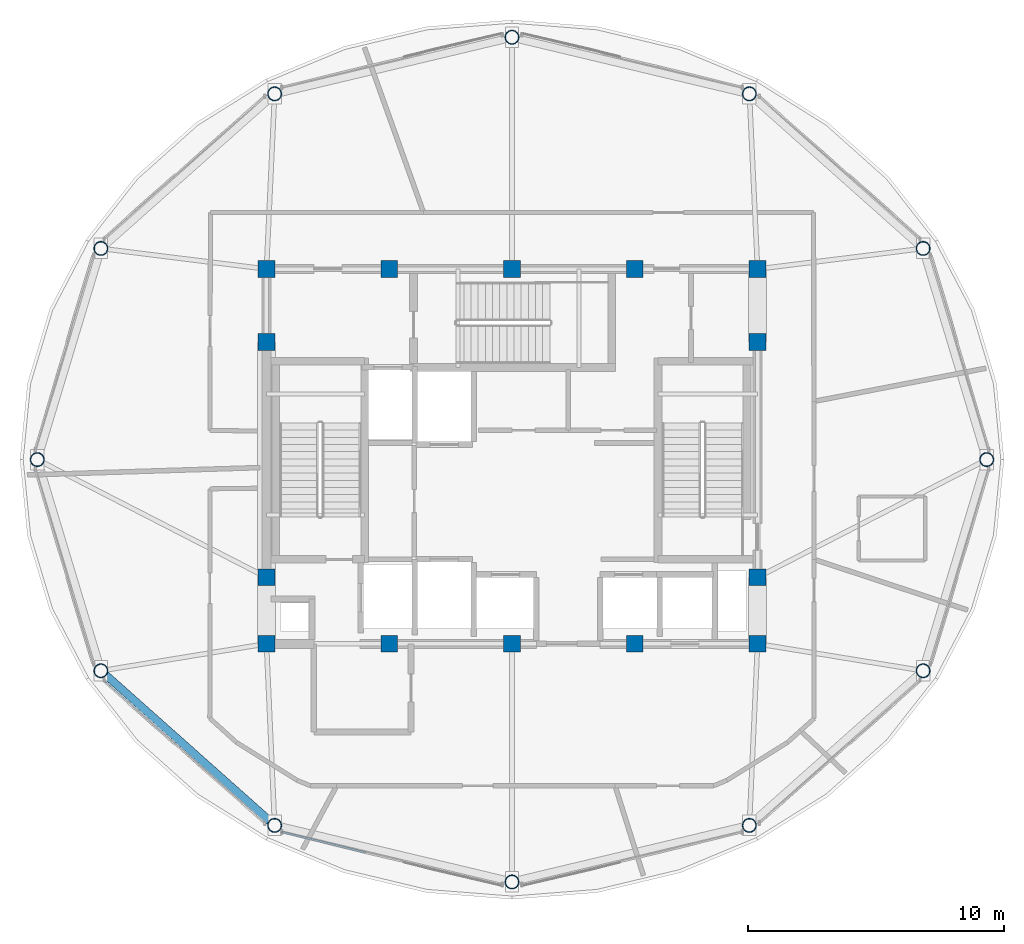
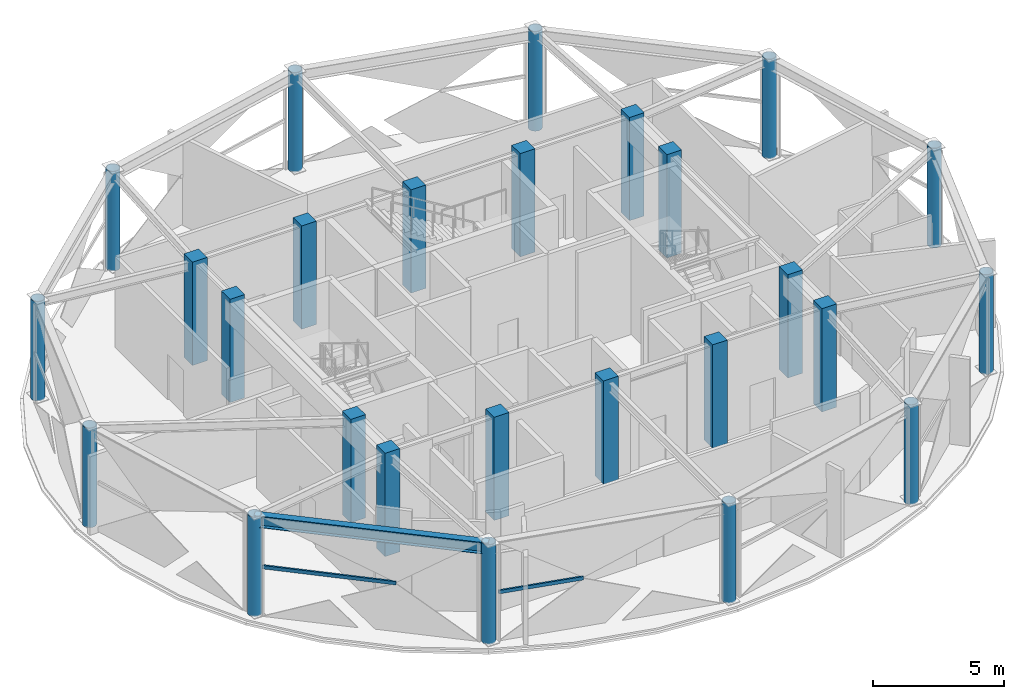
# One storey, part 1 of 22: 26 columns, 2 members, 1 beam, 2 elements without a shape of their own.
"""IFC4 building model written with IfcOpenShell, lengths in metres."""

from ifc_helpers import new_model, si_unit, direction, frame, origin, origin_2d, place, context, subcontext, project, spatial, rectangle, hollow_rectangle, hollow_circle, i_section, extrude, material, layer, layer_set, material_profile, profile_set, type_object, element, aggregate, save


model = new_model("IFC4")

# Units and contexts
model_context = context("Model", 3, precision=1e-05, world=origin(), true_north=direction((0.0, 1.0)))
body_context = subcontext(model_context, "Body", "Model", "MODEL_VIEW")
ifc_project = project(units=[si_unit("LENGTHUNIT", "METRE"), si_unit("AREAUNIT", "SQUARE_METRE"), si_unit("VOLUMEUNIT", "CUBIC_METRE"), si_unit("PLANEANGLEUNIT", "RADIAN"), si_unit("MASSUNIT", "GRAM", prefix="KILO")], contexts=[model_context])

# Site, building, storey
site_placement = place(None, origin())
site = spatial("IfcSite", under=ifc_project, at=site_placement, CompositionType="ELEMENT")
building_placement = place(site_placement, origin())
building = spatial("IfcBuilding", under=site, at=building_placement, Name="Vantalir Tower", CompositionType="ELEMENT")
storey_placement = place(building_placement, frame((0.0, 0.0, 294.89990234375)))
storey = spatial("IfcBuildingStorey", under=building, at=storey_placement, Name="L74", CompositionType="ELEMENT", Elevation=294.89990234375)

# Columns
ifc_material_1 = material(Name="Concrete C50/60", Category="concrete")
ifc_material_profile_1 = material_profile(ifc_material_1, rectangle(XDim=0.64990234375, YDim=0.64990234375, at=origin_2d()), Name="Concrete C50/60")
ifc_profile_set_1 = profile_set([ifc_material_profile_1], Name="Concrete C50/60")
column_type_1 = type_object("IfcColumnType", Name="COL-CC-650", PredefinedType="COLUMN", material=ifc_profile_set_1)
for number, where, z_axis, x_axis, name in (
    (1, (21.89990234375, 17.800048828125, 0.0), (0.0, 0.0, 1.0), (1.0, 0.0, 0.0), "L74 Core Column CC01"),
    (2, (26.699951171875, 17.800048828125, 0.0), (0.0, 0.0, 1.0), (1.0, 0.0, 0.0), "L74 Core Column CC02"),
    (3, (31.5, 17.800048828125, 0.0), (0.0, 0.0, 1.0), (1.0, 0.0, 0.0), "L74 Core Column CC03"),
    (4, (36.300048828125, 17.800048828125, 0.0), (0.0, 0.0, 1.0), (1.0, 0.0, 0.0), "L74 Core Column CC04"),
    (5, (41.10009765625, 17.800048828125, 0.0), (0.0, 0.0, 1.0), (1.0, 0.0, 0.0), "L74 Core Column CC05"),
    (6, (21.89990234375, 20.39990234375, 0.0), (0.0, 0.0, 1.0), (1.0, 0.0, 0.0), "L74 Core Column CC06"),
    (7, (21.89990234375, 29.60009765625, 0.0), (0.0, 0.0, 1.0), (1.0, 0.0, 0.0), "L74 Core Column CC07"),
    (8, (41.10009765625, 20.39990234375, 0.0), (0.0, 0.0, 1.0), (1.0, 0.0, 0.0), "L74 Core Column CC08"),
    (9, (41.10009765625, 29.60009765625, 0.0), (0.0, 0.0, 1.0), (1.0, 0.0, 0.0), "L74 Core Column CC09"),
    (10, (21.89990234375, 32.449951171875, 0.0), (0.0, 0.0, 1.0), (1.0, 0.0, 0.0), "L74 Core Column CC10"),
    (11, (26.699951171875, 32.449951171875, 0.0), (0.0, 0.0, 1.0), (1.0, 0.0, 0.0), "L74 Core Column CC11"),
    (12, (31.5, 32.449951171875, 0.0), (0.0, 0.0, 1.0), (1.0, 0.0, 0.0), "L74 Core Column CC12"),
    (13, (36.300048828125, 32.449951171875, 0.0), (0.0, 0.0, 1.0), (1.0, 0.0, 0.0), "L74 Core Column CC13"),
    (14, (41.10009765625, 32.449951171875, 0.0), (0.0, 0.0, 1.0), (1.0, 0.0, 0.0), "L74 Core Column CC14"),
):
    element("IfcColumn", number, at=place(storey_placement, frame(where, z_axis=z_axis, x_axis=x_axis)), inside=storey, type_object=column_type_1, Name=name, PredefinedType="COLUMN", context=body_context, shape_type="SweptSolid", body=[
        extrude(rectangle(XDim=0.64990234375, YDim=0.64990234375, at=origin_2d()), origin(), (0.0, 0.0, 1.0), 4.800048828125),
    ])
ifc_material_2 = material(Name="Steel S460", Category="steel")
ifc_material_profile_2 = material_profile(ifc_material_2, hollow_circle(Radius=0.27490234375, WallThickness=0.02490234375, at=origin_2d()), Name="Steel S460")
ifc_profile_set_2 = profile_set([ifc_material_profile_2], Name="Steel S460")
column_type_2 = type_object("IfcColumnType", Name="COL-RC-550", PredefinedType="COLUMN", material=ifc_profile_set_2)
for number, where, z_axis, x_axis, name in (
    (15, (50.06005859375, 25.0, 0.0), (0.0, 0.0, 1.0), (1.0, 0.0, 0.0), "L74 Perimeter Ring Column RC01"),
    (16, (47.572998046875, 33.256103515625, 0.0), (0.0, 0.0, 1.0), (1.0, 0.0, 0.0), "L74 Perimeter Ring Column RC02"),
    (17, (40.780029296875, 39.300048828125, 0.0), (0.0, 0.0, 1.0), (1.0, 0.0, 0.0), "L74 Perimeter Ring Column RC03"),
    (18, (31.5, 41.511962890625, 0.0), (0.0, 0.0, 1.0), (1.0, 0.0, 0.0), "L74 Perimeter Ring Column RC04"),
    (19, (22.219970703125, 39.300048828125, 0.0), (0.0, 0.0, 1.0), (1.0, 0.0, 0.0), "L74 Perimeter Ring Column RC05"),
    (20, (15.427001953125, 33.256103515625, 0.0), (0.0, 0.0, 1.0), (1.0, 0.0, 0.0), "L74 Perimeter Ring Column RC06"),
    (21, (12.93994140625, 25.0, 0.0), (0.0, 0.0, 1.0), (1.0, 0.0, 0.0), "L74 Perimeter Ring Column RC07"),
    (22, (15.427001953125, 16.743896484375, 0.0), (0.0, 0.0, 1.0), (1.0, 0.0, 0.0), "L74 Perimeter Ring Column RC08"),
    (23, (22.219970703125, 10.699951171875, 0.0), (0.0, 0.0, 1.0), (1.0, 0.0, 0.0), "L74 Perimeter Ring Column RC09"),
    (24, (31.5, 8.488037109375, 0.0), (0.0, 0.0, 1.0), (1.0, 0.0, 0.0), "L74 Perimeter Ring Column RC10"),
    (25, (40.780029296875, 10.699951171875, 0.0), (0.0, 0.0, 1.0), (1.0, 0.0, 0.0), "L74 Perimeter Ring Column RC11"),
    (26, (47.572998046875, 16.743896484375, 0.0), (0.0, 0.0, 1.0), (1.0, 0.0, 0.0), "L74 Perimeter Ring Column RC12"),
):
    element("IfcColumn", number, at=place(storey_placement, frame(where, z_axis=z_axis, x_axis=x_axis)), inside=storey, type_object=column_type_2, Name=name, PredefinedType="COLUMN", context=body_context, shape_type="SweptSolid", body=[
        extrude(hollow_circle(Radius=0.27490234375, WallThickness=0.02490234375, at=origin_2d()), origin(), (0.0, 0.0, 1.0), 4.6201171875),
    ])

# Beam
ifc_material_profile_3 = material_profile(ifc_material_2, i_section(OverallWidth=0.31201171875, OverallDepth=0.5419921875, WebThickness=0.0126953125, FlangeThickness=0.020263671875, at=origin_2d()), Name="Steel S460")
ifc_profile_set_3 = profile_set([ifc_material_profile_3], Name="Steel S460")
beam_type = type_object("IfcBeamType", Name="BM-RG-533x312", PredefinedType="USERDEFINED", material=ifc_profile_set_3)
beam_placement = place(storey_placement, frame((15.427001953125, 16.743896484375, 4.34912109375), z_axis=(0.747095174026, -0.664717083388, 0.0), x_axis=(0.664717083388, 0.747095174026, 0.0)))
element("IfcBeam", 27, at=beam_placement, inside=storey, type_object=beam_type, Name="L74 Circumferential Ring Girder 08", ObjectType="GIRDER", PredefinedType="USERDEFINED", context=body_context, shape_type="SweptSolid", body=[
    extrude(i_section(OverallWidth=0.31201171875, OverallDepth=0.5419921875, WebThickness=0.0126953125, FlangeThickness=0.020263671875, at=origin_2d()), origin(), (0.0, 0.0, 1.0), 9.092529296875),
])

# Curtain wall, member
ifc_material_3 = material(Name="Champagne-silver PVDF aluminium and double-silver Low-E glass", Category="aluminium")
ifc_layer = layer(ifc_material_3, 0.219970703125)
ifc_layer_set = layer_set([ifc_layer], Name="Champagne-silver PVDF aluminium and double-silver Low-E glass")
curtain_wall_type = type_object("IfcCurtainWallType", Name="CW-DIAMOND-Z4", PredefinedType="USERDEFINED", material=ifc_layer_set)
curtain_wall_1_placement = place(storey_placement, origin())
curtain_wall_1 = element("IfcCurtainWall", 28, at=curtain_wall_1_placement, inside=storey, type_object=curtain_wall_type, Name="L74 Quilted Pyramid-Diamond Curtain Wall S08", ObjectType="UNITISED CURTAIN WALL", PredefinedType="USERDEFINED")
ifc_material_4 = material(Name="Champagne-silver PVDF aluminium 6063-T6", Category="aluminium")
ifc_material_profile_4 = material_profile(ifc_material_4, hollow_rectangle(XDim=0.074951171875, YDim=0.159912109375, WallThickness=0.00390625, at=origin_2d()), Name="Champagne-silver PVDF aluminium 6063-T6")
ifc_profile_set_4 = profile_set([ifc_material_profile_4], Name="Champagne-silver PVDF aluminium 6063-T6")
member_type = type_object("IfcMemberType", Name="CWT-160x75", PredefinedType="USERDEFINED", material=ifc_profile_set_4)
member_1_placement = place(storey_placement, frame((15.552978515625, 16.389892578125, 2.31005859375), z_axis=(0.7436200392, -0.668602450863, 0.0), x_axis=(0.668602450863, 0.7436200392, 0.0)))
member_1 = element("IfcMember", 29, at=member_1_placement, type_object=member_type, Name="CW-L74-S08 Pyramid Fold Ridge Transom", ObjectType="TRANSOM", PredefinedType="USERDEFINED", context=body_context, shape_type="SweptSolid", body=[
    extrude(hollow_rectangle(XDim=0.074951171875, YDim=0.159912109375, WallThickness=0.00390625, at=origin_2d()), origin(), (0.0, 0.0, 1.0), 5.213623046875),
])
aggregate(curtain_wall_1, [member_1])

curtain_wall_2_placement = place(storey_placement, origin())
curtain_wall_2 = element("IfcCurtainWall", 30, at=curtain_wall_2_placement, inside=storey, type_object=curtain_wall_type, Name="L74 Quilted Pyramid-Diamond Curtain Wall S09", ObjectType="UNITISED CURTAIN WALL", PredefinedType="USERDEFINED")
member_2_placement = place(storey_placement, frame((22.50390625, 10.445068359375, 2.31005859375), z_axis=(0.971015656431, -0.239015888521, 0.0), x_axis=(0.239015888521, 0.971015656431, 0.0)))
member_2 = element("IfcMember", 31, at=member_2_placement, type_object=member_type, Name="CW-L74-S09 Pyramid Fold Ridge Transom", ObjectType="TRANSOM", PredefinedType="USERDEFINED", context=body_context, shape_type="SweptSolid", body=[
    extrude(hollow_rectangle(XDim=0.074951171875, YDim=0.159912109375, WallThickness=0.00390625, at=origin_2d()), origin(), (0.0, 0.0, 1.0), 3.363525390625),
])
aggregate(curtain_wall_2, [member_2])

save(model, "model.ifc")
